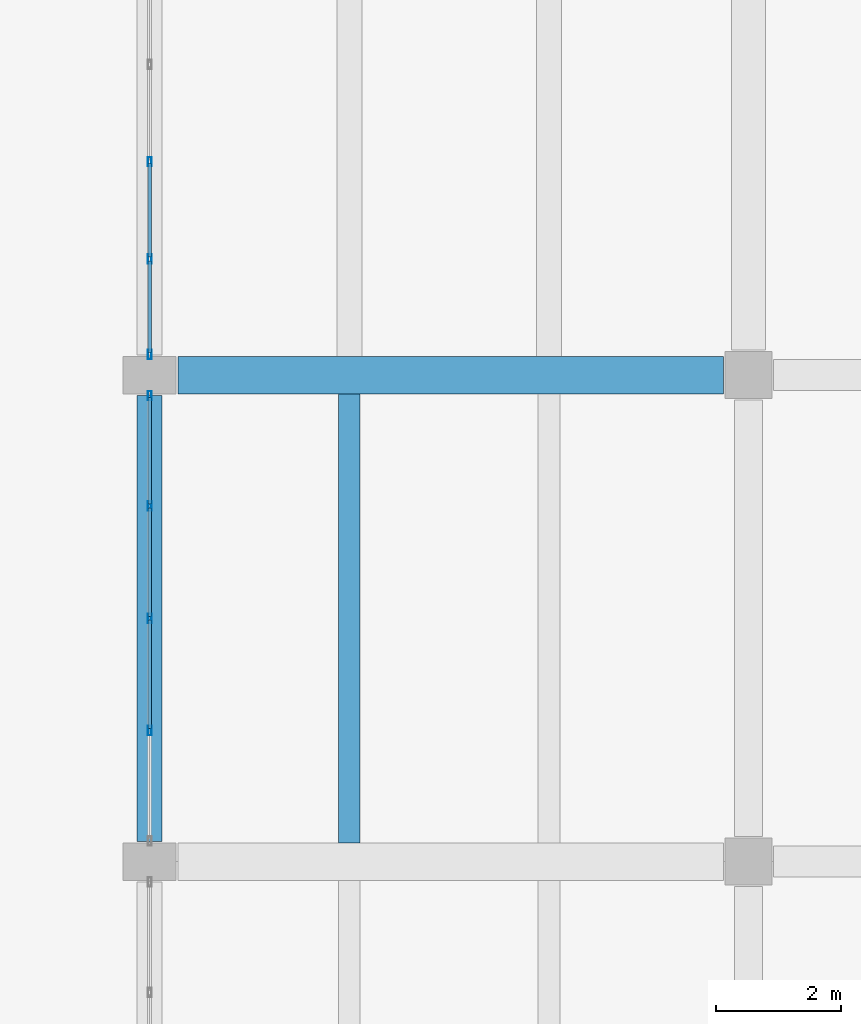
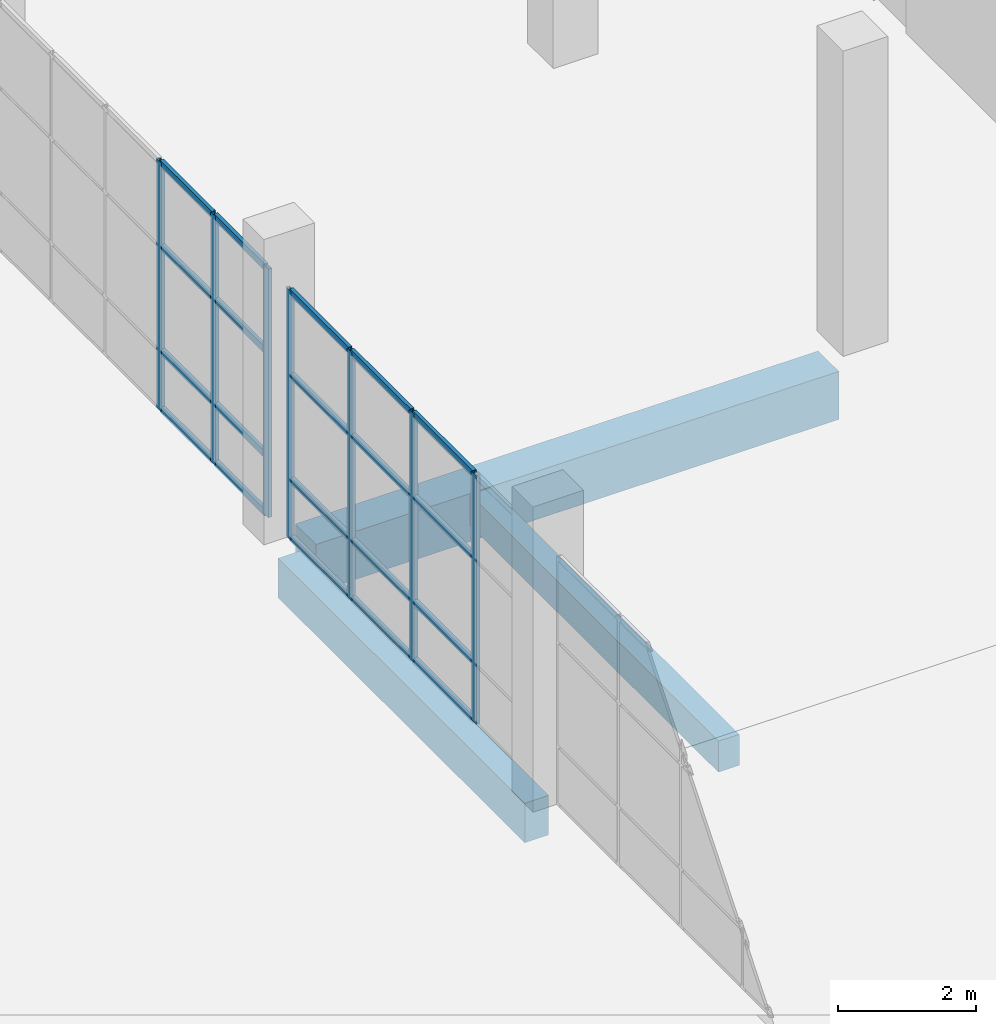
# One storey, part 40 of 78: 27 members, 3 beams, 2 elements without a shape of their own.
"""IFC4 building model written with IfcOpenShell, lengths in metres."""

from ifc_helpers import new_model, si_unit, direction, frame, origin, origin_2d, place, context, subcontext, project, spatial, rectangle, hollow_rectangle, extrude, material, material_profile, profile_set, type_object, element, aggregate, save


model = new_model("IFC4")

# Units and contexts
model_context = context("Model", 3, precision=1e-05, world=origin(), true_north=direction((0.0, 1.0)))
body_context = subcontext(model_context, "Body", "Model", "MODEL_VIEW")
ifc_project = project(units=[si_unit("LENGTHUNIT", "METRE"), si_unit("AREAUNIT", "SQUARE_METRE"), si_unit("VOLUMEUNIT", "CUBIC_METRE"), si_unit("PLANEANGLEUNIT", "RADIAN"), si_unit("MASSUNIT", "GRAM", prefix="KILO")], contexts=[model_context])

# Site, building, storey
site_placement = place(None, origin())
site = spatial("IfcSite", under=ifc_project, at=site_placement, CompositionType="ELEMENT")
building_placement = place(site_placement, origin())
building = spatial("IfcBuilding", under=site, at=building_placement, Name="Pellamere Symphony Hall", CompositionType="ELEMENT")
storey_placement = place(building_placement, origin())
storey = spatial("IfcBuildingStorey", under=building, at=storey_placement, Name="L00", CompositionType="ELEMENT", Elevation=0.0)

# Curtain wall, members
ifc_material_1 = material(Name="Thermally Broken Anodised Aluminium 6063-T6 Curtain Wall", Category="aluminium")
curtain_wall_type = type_object("IfcCurtainWallType", Name="Curtain Wall CW-05 (Artists Wing North Studio Ribbon Curtain Wall)", PredefinedType="NOTDEFINED", material=ifc_material_1)
curtain_wall_1_placement = place(storey_placement, origin())
curtain_wall_1 = element("IfcCurtainWall", 1, at=curtain_wall_1_placement, inside=storey, type_object=curtain_wall_type, Name="Sculpture Court East Wing Curtain Wall (L00 Bay 3)", PredefinedType="NOTDEFINED")
ifc_material_2 = material(Name="Anodised Architectural Aluminium 6063-T6", Category="aluminium")
ifc_material_profile_1 = material_profile(ifc_material_2, hollow_rectangle(XDim=0.06005859375, YDim=0.14990234375, WallThickness=0.00390625, at=origin_2d()), Name="ALU-M60X150X4")
ifc_profile_set_1 = profile_set([ifc_material_profile_1], Name="Anodised Architectural Aluminium 6063-T6")
member_type_1 = type_object("IfcMemberType", Name="Curtain Wall Mullion ML-03 ALU-M60X150X4", PredefinedType="MULLION", material=ifc_profile_set_1)
member_1_placement = place(storey_placement, frame((138.0, 79.5, 0.0), z_axis=(0.0, 0.0, 1.0), x_axis=(-1.0, 0.0, 0.0)))
member_1 = element("IfcMember", 2, at=member_1_placement, type_object=member_type_1, Name="CW5-128 crystal mullion 2", PredefinedType="MULLION", context=body_context, shape_type="SweptSolid", body=[
    extrude(hollow_rectangle(XDim=0.06005859375, YDim=0.14990234375, WallThickness=0.00390625, at=origin_2d()), origin(), (0.0, 0.0, 1.0), 4.39990234375),
])
member_2_placement = place(storey_placement, frame((138.0, 81.300048828125, 0.0), z_axis=(0.0, 0.0, 1.0), x_axis=(-1.0, 0.0, 0.0)))
member_2 = element("IfcMember", 3, at=member_2_placement, type_object=member_type_1, Name="CW5-128 crystal mullion 3", PredefinedType="MULLION", context=body_context, shape_type="SweptSolid", body=[
    extrude(hollow_rectangle(XDim=0.06005859375, YDim=0.14990234375, WallThickness=0.00390625, at=origin_2d()), origin(), (0.0, 0.0, 1.0), 4.39990234375),
])
member_3_placement = place(storey_placement, frame((138.0, 83.10009765625, 0.0), z_axis=(0.0, 0.0, 1.0), x_axis=(-1.0, 0.0, 0.0)))
member_3 = element("IfcMember", 4, at=member_3_placement, type_object=member_type_1, Name="CW5-128 crystal mullion 4", PredefinedType="MULLION", context=body_context, shape_type="SweptSolid", body=[
    extrude(hollow_rectangle(XDim=0.06005859375, YDim=0.14990234375, WallThickness=0.00390625, at=origin_2d()), origin(), (0.0, 0.0, 1.0), 4.39990234375),
])
member_4_placement = place(storey_placement, frame((138.0, 84.8701171875, 0.0), z_axis=(0.0, 0.0, 1.0), x_axis=(-1.0, 0.0, 0.0)))
member_4 = element("IfcMember", 5, at=member_4_placement, type_object=member_type_1, Name="CW5-128 crystal mullion 5", PredefinedType="MULLION", context=body_context, shape_type="SweptSolid", body=[
    extrude(hollow_rectangle(XDim=0.06005859375, YDim=0.14990234375, WallThickness=0.00390625, at=origin_2d()), origin(), (0.0, 0.0, 1.0), 4.39990234375),
])

curtain_wall_2_placement = place(storey_placement, origin())
curtain_wall_2 = element("IfcCurtainWall", 6, at=curtain_wall_2_placement, inside=storey, type_object=curtain_wall_type, Name="Sculpture Court East Wing Curtain Wall (L00 Bay 4)", PredefinedType="NOTDEFINED")
member_5_placement = place(storey_placement, frame((138.0, 85.530029296875, 0.0), z_axis=(0.0, 0.0, 1.0), x_axis=(-1.0, 0.0, 0.0)))
member_5 = element("IfcMember", 7, at=member_5_placement, type_object=member_type_1, Name="CW5-129 crystal mullion 1", PredefinedType="MULLION", context=body_context, shape_type="SweptSolid", body=[
    extrude(hollow_rectangle(XDim=0.06005859375, YDim=0.14990234375, WallThickness=0.00390625, at=origin_2d()), origin(), (0.0, 0.0, 1.0), 4.39990234375),
])
member_6_placement = place(storey_placement, frame((138.0, 87.06005859375, 0.0), z_axis=(0.0, 0.0, 1.0), x_axis=(-1.0, 0.0, 0.0)))
member_6 = element("IfcMember", 8, at=member_6_placement, type_object=member_type_1, Name="CW5-129 crystal mullion 2", PredefinedType="MULLION", context=body_context, shape_type="SweptSolid", body=[
    extrude(hollow_rectangle(XDim=0.06005859375, YDim=0.14990234375, WallThickness=0.00390625, at=origin_2d()), origin(), (0.0, 0.0, 1.0), 4.39990234375),
])
member_7_placement = place(storey_placement, frame((138.0, 88.6201171875, 0.0), z_axis=(0.0, 0.0, 1.0), x_axis=(-1.0, 0.0, 0.0)))
member_7 = element("IfcMember", 9, at=member_7_placement, type_object=member_type_1, Name="CW5-129 crystal mullion 3", PredefinedType="MULLION", context=body_context, shape_type="SweptSolid", body=[
    extrude(hollow_rectangle(XDim=0.06005859375, YDim=0.14990234375, WallThickness=0.00390625, at=origin_2d()), origin(), (0.0, 0.0, 1.0), 4.39990234375),
])

# Member
ifc_material_profile_2 = material_profile(ifc_material_2, hollow_rectangle(XDim=0.06005859375, YDim=0.1201171875, WallThickness=0.00390625, at=origin_2d()), Name="ALU-T60X120X4")
ifc_profile_set_2 = profile_set([ifc_material_profile_2], Name="Anodised Architectural Aluminium 6063-T6")
member_type_2 = type_object("IfcMemberType", Name="Curtain Wall Transom TR-03 ALU-T60X120X4", PredefinedType="USERDEFINED", material=ifc_profile_set_2)
member_8_placement = place(storey_placement, frame((138.0, 79.530029296875, 0.030029296875), z_axis=(0.0, 1.0, 0.0), x_axis=(-1.0, 0.0, 0.0)))
member_8 = element("IfcMember", 10, at=member_8_placement, type_object=member_type_2, Name="CW5-128 crystal transom 2.1", ObjectType="TRANSOM", PredefinedType="USERDEFINED", context=body_context, shape_type="SweptSolid", body=[
    extrude(hollow_rectangle(XDim=0.06005859375, YDim=0.1201171875, WallThickness=0.00390625, at=origin_2d()), origin(), (0.0, 0.0, 1.0), 1.739990234375),
])

member_9_placement = place(storey_placement, frame((138.0, 79.530029296875, 1.055908203125), z_axis=(0.0, 1.0, 0.0), x_axis=(-1.0, 0.0, 0.0)))
member_9 = element("IfcMember", 11, at=member_9_placement, type_object=member_type_2, Name="CW5-128 crystal transom 2.2", ObjectType="TRANSOM", PredefinedType="USERDEFINED", context=body_context, shape_type="SweptSolid", body=[
    extrude(hollow_rectangle(XDim=0.06005859375, YDim=0.1201171875, WallThickness=0.00390625, at=origin_2d()), origin(), (0.0, 0.0, 1.0), 1.739990234375),
])

member_10_placement = place(storey_placement, frame((138.0, 79.530029296875, 2.904052734375), z_axis=(0.0, 1.0, 0.0), x_axis=(-1.0, 0.0, 0.0)))
member_10 = element("IfcMember", 12, at=member_10_placement, type_object=member_type_2, Name="CW5-128 crystal transom 2.3", ObjectType="TRANSOM", PredefinedType="USERDEFINED", context=body_context, shape_type="SweptSolid", body=[
    extrude(hollow_rectangle(XDim=0.06005859375, YDim=0.1201171875, WallThickness=0.00390625, at=origin_2d()), origin(), (0.0, 0.0, 1.0), 1.739990234375),
])

member_11_placement = place(storey_placement, frame((138.0, 79.530029296875, 4.3701171875), z_axis=(0.0, 1.0, 0.0), x_axis=(-1.0, 0.0, 0.0)))
member_11 = element("IfcMember", 13, at=member_11_placement, type_object=member_type_2, Name="CW5-128 crystal transom 2.4", ObjectType="TRANSOM", PredefinedType="USERDEFINED", context=body_context, shape_type="SweptSolid", body=[
    extrude(hollow_rectangle(XDim=0.06005859375, YDim=0.1201171875, WallThickness=0.00390625, at=origin_2d()), origin(), (0.0, 0.0, 1.0), 1.739990234375),
])

member_12_placement = place(storey_placement, frame((138.0, 81.330078125, 0.030029296875), z_axis=(0.0, 1.0, 0.0), x_axis=(-1.0, 0.0, 0.0)))
member_12 = element("IfcMember", 14, at=member_12_placement, type_object=member_type_2, Name="CW5-128 crystal transom 3.1", ObjectType="TRANSOM", PredefinedType="USERDEFINED", context=body_context, shape_type="SweptSolid", body=[
    extrude(hollow_rectangle(XDim=0.06005859375, YDim=0.1201171875, WallThickness=0.00390625, at=origin_2d()), origin(), (0.0, 0.0, 1.0), 1.739990234375),
])

member_13_placement = place(storey_placement, frame((138.0, 81.330078125, 1.055908203125), z_axis=(0.0, 1.0, 0.0), x_axis=(-1.0, 0.0, 0.0)))
member_13 = element("IfcMember", 15, at=member_13_placement, type_object=member_type_2, Name="CW5-128 crystal transom 3.2", ObjectType="TRANSOM", PredefinedType="USERDEFINED", context=body_context, shape_type="SweptSolid", body=[
    extrude(hollow_rectangle(XDim=0.06005859375, YDim=0.1201171875, WallThickness=0.00390625, at=origin_2d()), origin(), (0.0, 0.0, 1.0), 1.739990234375),
])

member_14_placement = place(storey_placement, frame((138.0, 81.330078125, 2.904052734375), z_axis=(0.0, 1.0, 0.0), x_axis=(-1.0, 0.0, 0.0)))
member_14 = element("IfcMember", 16, at=member_14_placement, type_object=member_type_2, Name="CW5-128 crystal transom 3.3", ObjectType="TRANSOM", PredefinedType="USERDEFINED", context=body_context, shape_type="SweptSolid", body=[
    extrude(hollow_rectangle(XDim=0.06005859375, YDim=0.1201171875, WallThickness=0.00390625, at=origin_2d()), origin(), (0.0, 0.0, 1.0), 1.739990234375),
])

member_15_placement = place(storey_placement, frame((138.0, 81.330078125, 4.3701171875), z_axis=(0.0, 1.0, 0.0), x_axis=(-1.0, 0.0, 0.0)))
member_15 = element("IfcMember", 17, at=member_15_placement, type_object=member_type_2, Name="CW5-128 crystal transom 3.4", ObjectType="TRANSOM", PredefinedType="USERDEFINED", context=body_context, shape_type="SweptSolid", body=[
    extrude(hollow_rectangle(XDim=0.06005859375, YDim=0.1201171875, WallThickness=0.00390625, at=origin_2d()), origin(), (0.0, 0.0, 1.0), 1.739990234375),
])

member_16_placement = place(storey_placement, frame((138.0, 83.1298828125, 0.030029296875), z_axis=(0.0, 1.0, 0.0), x_axis=(-1.0, 0.0, 0.0)))
member_16 = element("IfcMember", 18, at=member_16_placement, type_object=member_type_2, Name="CW5-128 crystal transom 4.1", ObjectType="TRANSOM", PredefinedType="USERDEFINED", context=body_context, shape_type="SweptSolid", body=[
    extrude(hollow_rectangle(XDim=0.06005859375, YDim=0.1201171875, WallThickness=0.00390625, at=origin_2d()), origin(), (0.0, 0.0, 1.0), 1.710205078125),
])

member_17_placement = place(storey_placement, frame((138.0, 83.1298828125, 1.055908203125), z_axis=(0.0, 1.0, 0.0), x_axis=(-1.0, 0.0, 0.0)))
member_17 = element("IfcMember", 19, at=member_17_placement, type_object=member_type_2, Name="CW5-128 crystal transom 4.2", ObjectType="TRANSOM", PredefinedType="USERDEFINED", context=body_context, shape_type="SweptSolid", body=[
    extrude(hollow_rectangle(XDim=0.06005859375, YDim=0.1201171875, WallThickness=0.00390625, at=origin_2d()), origin(), (0.0, 0.0, 1.0), 1.710205078125),
])

member_18_placement = place(storey_placement, frame((138.0, 83.1298828125, 2.904052734375), z_axis=(0.0, 1.0, 0.0), x_axis=(-1.0, 0.0, 0.0)))
member_18 = element("IfcMember", 20, at=member_18_placement, type_object=member_type_2, Name="CW5-128 crystal transom 4.3", ObjectType="TRANSOM", PredefinedType="USERDEFINED", context=body_context, shape_type="SweptSolid", body=[
    extrude(hollow_rectangle(XDim=0.06005859375, YDim=0.1201171875, WallThickness=0.00390625, at=origin_2d()), origin(), (0.0, 0.0, 1.0), 1.710205078125),
])

member_19_placement = place(storey_placement, frame((138.0, 83.1298828125, 4.3701171875), z_axis=(0.0, 1.0, 0.0), x_axis=(-1.0, 0.0, 0.0)))
member_19 = element("IfcMember", 21, at=member_19_placement, type_object=member_type_2, Name="CW5-128 crystal transom 4.4", ObjectType="TRANSOM", PredefinedType="USERDEFINED", context=body_context, shape_type="SweptSolid", body=[
    extrude(hollow_rectangle(XDim=0.06005859375, YDim=0.1201171875, WallThickness=0.00390625, at=origin_2d()), origin(), (0.0, 0.0, 1.0), 1.710205078125),
])

aggregate(curtain_wall_1, [member_1, member_2, member_3, member_4, member_8, member_9, member_10, member_11, member_12, member_13, member_14, member_15, member_16, member_17, member_18, member_19])

member_20_placement = place(storey_placement, frame((138.0, 85.56005859375, 0.030029296875), z_axis=(0.0, 1.0, 0.0), x_axis=(-1.0, 0.0, 0.0)))
member_20 = element("IfcMember", 22, at=member_20_placement, type_object=member_type_2, Name="CW5-129 crystal transom 1.1", ObjectType="TRANSOM", PredefinedType="USERDEFINED", context=body_context, shape_type="SweptSolid", body=[
    extrude(hollow_rectangle(XDim=0.06005859375, YDim=0.1201171875, WallThickness=0.00390625, at=origin_2d()), origin(), (0.0, 0.0, 1.0), 1.469970703125),
])

member_21_placement = place(storey_placement, frame((138.0, 85.56005859375, 1.055908203125), z_axis=(0.0, 1.0, 0.0), x_axis=(-1.0, 0.0, 0.0)))
member_21 = element("IfcMember", 23, at=member_21_placement, type_object=member_type_2, Name="CW5-129 crystal transom 1.2", ObjectType="TRANSOM", PredefinedType="USERDEFINED", context=body_context, shape_type="SweptSolid", body=[
    extrude(hollow_rectangle(XDim=0.06005859375, YDim=0.1201171875, WallThickness=0.00390625, at=origin_2d()), origin(), (0.0, 0.0, 1.0), 1.469970703125),
])

member_22_placement = place(storey_placement, frame((138.0, 85.56005859375, 2.904052734375), z_axis=(0.0, 1.0, 0.0), x_axis=(-1.0, 0.0, 0.0)))
member_22 = element("IfcMember", 24, at=member_22_placement, type_object=member_type_2, Name="CW5-129 crystal transom 1.3", ObjectType="TRANSOM", PredefinedType="USERDEFINED", context=body_context, shape_type="SweptSolid", body=[
    extrude(hollow_rectangle(XDim=0.06005859375, YDim=0.1201171875, WallThickness=0.00390625, at=origin_2d()), origin(), (0.0, 0.0, 1.0), 1.469970703125),
])

member_23_placement = place(storey_placement, frame((138.0, 85.56005859375, 4.3701171875), z_axis=(0.0, 1.0, 0.0), x_axis=(-1.0, 0.0, 0.0)))
member_23 = element("IfcMember", 25, at=member_23_placement, type_object=member_type_2, Name="CW5-129 crystal transom 1.4", ObjectType="TRANSOM", PredefinedType="USERDEFINED", context=body_context, shape_type="SweptSolid", body=[
    extrude(hollow_rectangle(XDim=0.06005859375, YDim=0.1201171875, WallThickness=0.00390625, at=origin_2d()), origin(), (0.0, 0.0, 1.0), 1.469970703125),
])

member_24_placement = place(storey_placement, frame((138.0, 87.090087890625, 0.030029296875), z_axis=(0.0, 1.0, 0.0), x_axis=(-1.0, 0.0, 0.0)))
member_24 = element("IfcMember", 26, at=member_24_placement, type_object=member_type_2, Name="CW5-129 crystal transom 2.1", ObjectType="TRANSOM", PredefinedType="USERDEFINED", context=body_context, shape_type="SweptSolid", body=[
    extrude(hollow_rectangle(XDim=0.06005859375, YDim=0.1201171875, WallThickness=0.00390625, at=origin_2d()), origin(), (0.0, 0.0, 1.0), 1.5),
])

member_25_placement = place(storey_placement, frame((138.0, 87.090087890625, 1.055908203125), z_axis=(0.0, 1.0, 0.0), x_axis=(-1.0, 0.0, 0.0)))
member_25 = element("IfcMember", 27, at=member_25_placement, type_object=member_type_2, Name="CW5-129 crystal transom 2.2", ObjectType="TRANSOM", PredefinedType="USERDEFINED", context=body_context, shape_type="SweptSolid", body=[
    extrude(hollow_rectangle(XDim=0.06005859375, YDim=0.1201171875, WallThickness=0.00390625, at=origin_2d()), origin(), (0.0, 0.0, 1.0), 1.5),
])

member_26_placement = place(storey_placement, frame((138.0, 87.090087890625, 2.904052734375), z_axis=(0.0, 1.0, 0.0), x_axis=(-1.0, 0.0, 0.0)))
member_26 = element("IfcMember", 28, at=member_26_placement, type_object=member_type_2, Name="CW5-129 crystal transom 2.3", ObjectType="TRANSOM", PredefinedType="USERDEFINED", context=body_context, shape_type="SweptSolid", body=[
    extrude(hollow_rectangle(XDim=0.06005859375, YDim=0.1201171875, WallThickness=0.00390625, at=origin_2d()), origin(), (0.0, 0.0, 1.0), 1.5),
])

member_27_placement = place(storey_placement, frame((138.0, 87.090087890625, 4.3701171875), z_axis=(0.0, 1.0, 0.0), x_axis=(-1.0, 0.0, 0.0)))
member_27 = element("IfcMember", 29, at=member_27_placement, type_object=member_type_2, Name="CW5-129 crystal transom 2.4", ObjectType="TRANSOM", PredefinedType="USERDEFINED", context=body_context, shape_type="SweptSolid", body=[
    extrude(hollow_rectangle(XDim=0.06005859375, YDim=0.1201171875, WallThickness=0.00390625, at=origin_2d()), origin(), (0.0, 0.0, 1.0), 1.5),
])

aggregate(curtain_wall_2, [member_5, member_6, member_7, member_20, member_21, member_22, member_23, member_24, member_25, member_26, member_27])

# Beams
ifc_material_3 = material(Name="Concrete 40 MPa", Category="concrete")
ifc_material_profile_3 = material_profile(ifc_material_3, rectangle(XDim=0.60009765625, YDim=0.85009765625, at=origin_2d()), Name="RC 600x850")
ifc_profile_set_3 = profile_set([ifc_material_profile_3], Name="Concrete 40 MPa")
beam_type_1 = type_object("IfcBeamType", Name="RC CB-04 600x850", PredefinedType="BEAM", material=ifc_profile_set_3)
beam_1_placement = place(storey_placement, frame((138.449951171875, 85.199951171875, -0.72509765625), z_axis=(1.0, 0.0, 0.0), x_axis=(0.0, 1.0, 0.0)))
element("IfcBeam", 30, at=beam_1_placement, inside=storey, type_object=beam_type_1, Name="Girder CB-04-X0157 (L00)", PredefinedType="BEAM", context=body_context, shape_type="SweptSolid", body=[
    extrude(rectangle(XDim=0.60009765625, YDim=0.85009765625, at=origin_2d()), origin(), (0.0, 0.0, 1.0), 8.75),
])
ifc_material_4 = material(Name="Concrete 35 MPa", Category="concrete")
ifc_material_profile_4 = material_profile(ifc_material_4, rectangle(XDim=0.35009765625, YDim=0.550048828125, at=origin_2d()), Name="RC 350x550")
ifc_profile_set_4 = profile_set([ifc_material_profile_4], Name="Concrete 35 MPa")
beam_type_2 = type_object("IfcBeamType", Name="RC CB-10 350x550", PredefinedType="BEAM", material=ifc_profile_set_4)
beam_2_placement = place(storey_placement, frame((141.199951171875, 77.699951171875, -0.590087890625), z_axis=(0.0, 1.0, 0.0), x_axis=(-1.0, 0.0, 0.0)))
element("IfcBeam", 31, at=beam_2_placement, inside=storey, type_object=beam_type_2, Name="Secondary Floor Beam CB-10-A1710 (L00)", PredefinedType="BEAM", context=body_context, shape_type="SweptSolid", body=[
    extrude(rectangle(XDim=0.35009765625, YDim=0.550048828125, at=origin_2d()), origin(), (0.0, 0.0, 1.0), 7.199951171875),
])
ifc_material_profile_5 = material_profile(ifc_material_3, rectangle(XDim=0.39990234375, YDim=0.699951171875, at=origin_2d()), Name="RC 400x700")
ifc_profile_set_5 = profile_set([ifc_material_profile_5], Name="Concrete 40 MPa")
beam_type_3 = type_object("IfcBeamType", Name="RC CB-13 400x700", PredefinedType="SPANDREL", material=ifc_profile_set_5)
beam_3_placement = place(storey_placement, frame((138.0, 77.72509765625, -0.64990234375), z_axis=(0.0, 1.0, 0.0), x_axis=(-1.0, 0.0, 0.0)))
element("IfcBeam", 32, at=beam_3_placement, inside=storey, type_object=beam_type_3, Name="Girder CB-13-Y0343 (L00)", PredefinedType="SPANDREL", context=body_context, shape_type="SweptSolid", body=[
    extrude(rectangle(XDim=0.39990234375, YDim=0.699951171875, at=origin_2d()), origin(), (0.0, 0.0, 1.0), 7.14990234375),
])

save(model, "model.ifc")
